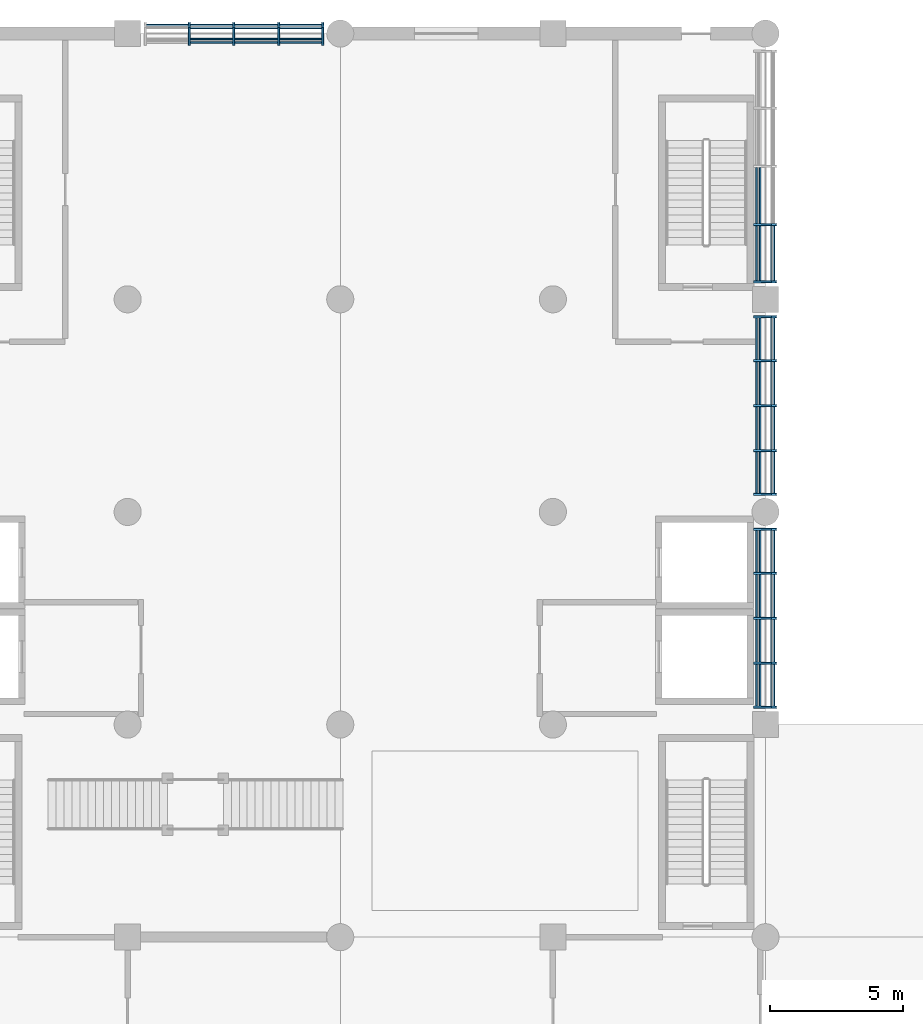
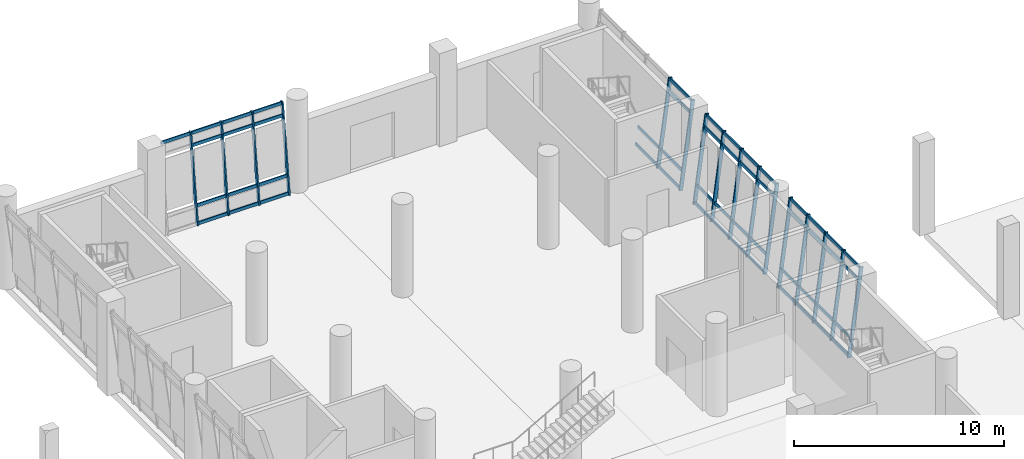
# One storey, part 11 of 42: 67 members, 4 elements without a shape of their own.
"""IFC4 building model written with IfcOpenShell, lengths in metres."""

from ifc_helpers import new_model, si_unit, direction, frame, origin, origin_2d, place, context, subcontext, project, spatial, rectangle, extrude, material, material_profile, profile_set, type_object, element, aggregate, save


model = new_model("IFC4")

# Units and contexts
model_context = context("Model", 3, precision=1e-05, world=origin(), true_north=direction((0.0, 1.0)))
body_context = subcontext(model_context, "Body", "Model", "MODEL_VIEW")
ifc_project = project(units=[si_unit("LENGTHUNIT", "METRE"), si_unit("AREAUNIT", "SQUARE_METRE"), si_unit("VOLUMEUNIT", "CUBIC_METRE"), si_unit("PLANEANGLEUNIT", "RADIAN"), si_unit("MASSUNIT", "GRAM", prefix="KILO")], contexts=[model_context])

# Site, building, storey
site_placement = place(None, origin())
site = spatial("IfcSite", under=ifc_project, at=site_placement, CompositionType="ELEMENT")
building_placement = place(site_placement, origin())
building = spatial("IfcBuilding", under=site, at=building_placement, Name="Pecanmere Concourse Central Library", CompositionType="ELEMENT")
storey_placement = place(building_placement, origin())
storey = spatial("IfcBuildingStorey", under=building, at=storey_placement, Name="L01", CompositionType="ELEMENT", Elevation=0.0)

# Curtain wall, members
ifc_material_1 = material(Name="Anodized bronze aluminium alloy 6063-T6", Category="aluminium")
curtain_wall_type = type_object("IfcCurtainWallType", Name="CW_LEAN_BANDED", PredefinedType="USERDEFINED", material=ifc_material_1)
curtain_wall_1_placement = place(storey_placement, origin())
curtain_wall_1 = element("IfcCurtainWall", 1, at=curtain_wall_1_placement, inside=storey, type_object=curtain_wall_type, Name="Unitised Curtain Wall CW-01 L01-001", ObjectType="UNITISED CURTAIN WALL", PredefinedType="USERDEFINED")
ifc_material_2 = material(Name="Anodized bronze aluminium alloy 6063-T6", Category="aluminium")
ifc_material_profile_1 = material_profile(ifc_material_2, rectangle(XDim=0.074951171875, YDim=0.199951171875, at=origin_2d()), Name="AL 75x200")
ifc_profile_set_1 = profile_set([ifc_material_profile_1], Name="Anodized bronze aluminium alloy 6063-T6")
member_type_1 = type_object("IfcMemberType", Name="CWM_200x75", PredefinedType="MULLION", material=ifc_profile_set_1)
member_1_placement = place(storey_placement, frame((87.342529296875, 123.64990234375, 0.0), z_axis=(0.0, 0.132255108017, 0.991215711338), x_axis=(-1.0, 0.0, 0.0)))
member_1 = element("IfcMember", 2, at=member_1_placement, type_object=member_type_1, Name="CW-01 Mullion 1", PredefinedType="MULLION", context=body_context, shape_type="SweptSolid", body=[
    extrude(rectangle(XDim=0.074951171875, YDim=0.199951171875, at=origin_2d()), origin(), (0.0, 0.0, 1.0), 5.07470703125),
])
member_2_placement = place(storey_placement, frame((85.68994140625, 123.64990234375, 0.0), z_axis=(0.0, 0.132255108017, 0.991215711338), x_axis=(-1.0, 0.0, 0.0)))
member_2 = element("IfcMember", 3, at=member_2_placement, type_object=member_type_1, Name="CW-01 Mullion 2", PredefinedType="MULLION", context=body_context, shape_type="SweptSolid", body=[
    extrude(rectangle(XDim=0.074951171875, YDim=0.199951171875, at=origin_2d()), origin(), (0.0, 0.0, 1.0), 5.07470703125),
])
member_3_placement = place(storey_placement, frame((84.0, 123.64990234375, 0.0), z_axis=(0.0, 0.132255108017, 0.991215711338), x_axis=(-1.0, 0.0, 0.0)))
member_3 = element("IfcMember", 4, at=member_3_placement, type_object=member_type_1, Name="CW-01 Mullion 3", PredefinedType="MULLION", context=body_context, shape_type="SweptSolid", body=[
    extrude(rectangle(XDim=0.074951171875, YDim=0.199951171875, at=origin_2d()), origin(), (0.0, 0.0, 1.0), 5.07470703125),
])
member_4_placement = place(storey_placement, frame((82.31005859375, 123.64990234375, 0.0), z_axis=(0.0, 0.132255108017, 0.991215711338), x_axis=(-1.0, 0.0, 0.0)))
member_4 = element("IfcMember", 5, at=member_4_placement, type_object=member_type_1, Name="CW-01 Mullion 4", PredefinedType="MULLION", context=body_context, shape_type="SweptSolid", body=[
    extrude(rectangle(XDim=0.074951171875, YDim=0.199951171875, at=origin_2d()), origin(), (0.0, 0.0, 1.0), 5.07470703125),
])

curtain_wall_2_placement = place(storey_placement, origin())
curtain_wall_2 = element("IfcCurtainWall", 6, at=curtain_wall_2_placement, inside=storey, type_object=curtain_wall_type, Name="Unitised Curtain Wall CW-01 L01-002", ObjectType="UNITISED CURTAIN WALL", PredefinedType="USERDEFINED")
member_5_placement = place(storey_placement, frame((103.64990234375, 98.657470703125, 0.0), z_axis=(0.132255108017, 0.0, 0.991215711338), x_axis=(0.0, 1.0, 0.0)))
member_5 = element("IfcMember", 7, at=member_5_placement, type_object=member_type_1, Name="CW-01 Mullion 1", PredefinedType="MULLION", context=body_context, shape_type="SweptSolid", body=[
    extrude(rectangle(XDim=0.074951171875, YDim=0.199951171875, at=origin_2d()), origin(), (0.0, 0.0, 1.0), 5.07470703125),
])
member_6_placement = place(storey_placement, frame((103.64990234375, 100.31005859375, 0.0), z_axis=(0.132255108017, 0.0, 0.991215711338), x_axis=(0.0, 1.0, 0.0)))
member_6 = element("IfcMember", 8, at=member_6_placement, type_object=member_type_1, Name="CW-01 Mullion 2", PredefinedType="MULLION", context=body_context, shape_type="SweptSolid", body=[
    extrude(rectangle(XDim=0.074951171875, YDim=0.199951171875, at=origin_2d()), origin(), (0.0, 0.0, 1.0), 5.07470703125),
])
member_7_placement = place(storey_placement, frame((103.64990234375, 102.0, 0.0), z_axis=(0.132255108017, 0.0, 0.991215711338), x_axis=(0.0, 1.0, 0.0)))
member_7 = element("IfcMember", 9, at=member_7_placement, type_object=member_type_1, Name="CW-01 Mullion 3", PredefinedType="MULLION", context=body_context, shape_type="SweptSolid", body=[
    extrude(rectangle(XDim=0.074951171875, YDim=0.199951171875, at=origin_2d()), origin(), (0.0, 0.0, 1.0), 5.07470703125),
])
member_8_placement = place(storey_placement, frame((103.64990234375, 103.68994140625, 0.0), z_axis=(0.132255108017, 0.0, 0.991215711338), x_axis=(0.0, 1.0, 0.0)))
member_8 = element("IfcMember", 10, at=member_8_placement, type_object=member_type_1, Name="CW-01 Mullion 4", PredefinedType="MULLION", context=body_context, shape_type="SweptSolid", body=[
    extrude(rectangle(XDim=0.074951171875, YDim=0.199951171875, at=origin_2d()), origin(), (0.0, 0.0, 1.0), 5.07470703125),
])
member_9_placement = place(storey_placement, frame((103.64990234375, 105.342529296875, 0.0), z_axis=(0.132255108017, 0.0, 0.991215711338), x_axis=(0.0, 1.0, 0.0)))
member_9 = element("IfcMember", 11, at=member_9_placement, type_object=member_type_1, Name="CW-01 Mullion 5", PredefinedType="MULLION", context=body_context, shape_type="SweptSolid", body=[
    extrude(rectangle(XDim=0.074951171875, YDim=0.199951171875, at=origin_2d()), origin(), (0.0, 0.0, 1.0), 5.07470703125),
])

curtain_wall_3_placement = place(storey_placement, origin())
curtain_wall_3 = element("IfcCurtainWall", 12, at=curtain_wall_3_placement, inside=storey, type_object=curtain_wall_type, Name="Unitised Curtain Wall CW-01 L01-003", ObjectType="UNITISED CURTAIN WALL", PredefinedType="USERDEFINED")
member_10_placement = place(storey_placement, frame((103.64990234375, 106.657470703125, 0.0), z_axis=(0.132255108017, 0.0, 0.991215711338), x_axis=(0.0, 1.0, 0.0)))
member_10 = element("IfcMember", 13, at=member_10_placement, type_object=member_type_1, Name="CW-01 Mullion 1", PredefinedType="MULLION", context=body_context, shape_type="SweptSolid", body=[
    extrude(rectangle(XDim=0.074951171875, YDim=0.199951171875, at=origin_2d()), origin(), (0.0, 0.0, 1.0), 5.07470703125),
])
member_11_placement = place(storey_placement, frame((103.64990234375, 108.31005859375, 0.0), z_axis=(0.132255108017, 0.0, 0.991215711338), x_axis=(0.0, 1.0, 0.0)))
member_11 = element("IfcMember", 14, at=member_11_placement, type_object=member_type_1, Name="CW-01 Mullion 2", PredefinedType="MULLION", context=body_context, shape_type="SweptSolid", body=[
    extrude(rectangle(XDim=0.074951171875, YDim=0.199951171875, at=origin_2d()), origin(), (0.0, 0.0, 1.0), 5.07470703125),
])
member_12_placement = place(storey_placement, frame((103.64990234375, 110.0, 0.0), z_axis=(0.132255108017, 0.0, 0.991215711338), x_axis=(0.0, 1.0, 0.0)))
member_12 = element("IfcMember", 15, at=member_12_placement, type_object=member_type_1, Name="CW-01 Mullion 3", PredefinedType="MULLION", context=body_context, shape_type="SweptSolid", body=[
    extrude(rectangle(XDim=0.074951171875, YDim=0.199951171875, at=origin_2d()), origin(), (0.0, 0.0, 1.0), 5.07470703125),
])
member_13_placement = place(storey_placement, frame((103.64990234375, 111.68994140625, 0.0), z_axis=(0.132255108017, 0.0, 0.991215711338), x_axis=(0.0, 1.0, 0.0)))
member_13 = element("IfcMember", 16, at=member_13_placement, type_object=member_type_1, Name="CW-01 Mullion 4", PredefinedType="MULLION", context=body_context, shape_type="SweptSolid", body=[
    extrude(rectangle(XDim=0.074951171875, YDim=0.199951171875, at=origin_2d()), origin(), (0.0, 0.0, 1.0), 5.07470703125),
])
member_14_placement = place(storey_placement, frame((103.64990234375, 113.342529296875, 0.0), z_axis=(0.132255108017, 0.0, 0.991215711338), x_axis=(0.0, 1.0, 0.0)))
member_14 = element("IfcMember", 17, at=member_14_placement, type_object=member_type_1, Name="CW-01 Mullion 5", PredefinedType="MULLION", context=body_context, shape_type="SweptSolid", body=[
    extrude(rectangle(XDim=0.074951171875, YDim=0.199951171875, at=origin_2d()), origin(), (0.0, 0.0, 1.0), 5.07470703125),
])

curtain_wall_4_placement = place(storey_placement, origin())
curtain_wall_4 = element("IfcCurtainWall", 18, at=curtain_wall_4_placement, inside=storey, type_object=curtain_wall_type, Name="Unitised Curtain Wall CW-01 L01-004", ObjectType="UNITISED CURTAIN WALL", PredefinedType="USERDEFINED")
member_15_placement = place(storey_placement, frame((103.64990234375, 114.657470703125, 0.0), z_axis=(0.132255108017, 0.0, 0.991215711338), x_axis=(0.0, 1.0, 0.0)))
member_15 = element("IfcMember", 19, at=member_15_placement, type_object=member_type_1, Name="CW-01 Mullion 1", PredefinedType="MULLION", context=body_context, shape_type="SweptSolid", body=[
    extrude(rectangle(XDim=0.074951171875, YDim=0.199951171875, at=origin_2d()), origin(), (0.0, 0.0, 1.0), 5.07470703125),
])
member_16_placement = place(storey_placement, frame((103.64990234375, 116.81005859375, 0.0), z_axis=(0.132255108017, 0.0, 0.991215711338), x_axis=(0.0, 1.0, 0.0)))
member_16 = element("IfcMember", 20, at=member_16_placement, type_object=member_type_1, Name="CW-01 Mullion 2", PredefinedType="MULLION", context=body_context, shape_type="SweptSolid", body=[
    extrude(rectangle(XDim=0.074951171875, YDim=0.199951171875, at=origin_2d()), origin(), (0.0, 0.0, 1.0), 5.07470703125),
])

# Member
ifc_material_3 = material(Name="Anodized bronze aluminium alloy 6063-T6", Category="aluminium")
ifc_material_profile_2 = material_profile(ifc_material_3, rectangle(XDim=0.06494140625, YDim=0.179931640625, at=origin_2d()), Name="AL 65x180")
ifc_profile_set_2 = profile_set([ifc_material_profile_2], Name="Anodized bronze aluminium alloy 6063-T6")
member_type_2 = type_object("IfcMemberType", Name="CWT_180x65", PredefinedType="USERDEFINED", material=ifc_profile_set_2)
member_17_placement = place(storey_placement, frame((87.304931640625, 123.662109375, 0.090087890625), z_axis=(-1.0, 0.0, 0.0), x_axis=(0.0, -1.0, 0.0)))
member_17 = element("IfcMember", 21, at=member_17_placement, type_object=member_type_2, Name="CW-01 Transom 1.1", ObjectType="TRANSOM", PredefinedType="USERDEFINED", context=body_context, shape_type="SweptSolid", body=[
    extrude(rectangle(XDim=0.06494140625, YDim=0.179931640625, at=origin_2d()), origin(), (0.0, 0.0, 1.0), 1.577392578125),
])

member_18_placement = place(storey_placement, frame((87.304931640625, 123.7900390625, 1.050048828125), z_axis=(-1.0, 0.0, 0.0), x_axis=(0.0, -1.0, 0.0)))
member_18 = element("IfcMember", 22, at=member_18_placement, type_object=member_type_2, Name="CW-01 Transom 1.2", ObjectType="TRANSOM", PredefinedType="USERDEFINED", context=body_context, shape_type="SweptSolid", body=[
    extrude(rectangle(XDim=0.06494140625, YDim=0.179931640625, at=origin_2d()), origin(), (0.0, 0.0, 1.0), 1.577392578125),
])

member_19_placement = place(storey_placement, frame((87.304931640625, 124.22119140625, 4.280029296875), z_axis=(-1.0, 0.0, 0.0), x_axis=(0.0, -1.0, 0.0)))
member_19 = element("IfcMember", 23, at=member_19_placement, type_object=member_type_2, Name="CW-01 Transom 1.3", ObjectType="TRANSOM", PredefinedType="USERDEFINED", context=body_context, shape_type="SweptSolid", body=[
    extrude(rectangle(XDim=0.06494140625, YDim=0.179931640625, at=origin_2d()), origin(), (0.0, 0.0, 1.0), 1.577392578125),
])

member_20_placement = place(storey_placement, frame((87.304931640625, 124.30908203125, 4.93994140625), z_axis=(-1.0, 0.0, 0.0), x_axis=(0.0, -1.0, 0.0)))
member_20 = element("IfcMember", 24, at=member_20_placement, type_object=member_type_2, Name="CW-01 Transom 1.4", ObjectType="TRANSOM", PredefinedType="USERDEFINED", context=body_context, shape_type="SweptSolid", body=[
    extrude(rectangle(XDim=0.06494140625, YDim=0.179931640625, at=origin_2d()), origin(), (0.0, 0.0, 1.0), 1.577392578125),
])

member_21_placement = place(storey_placement, frame((85.652587890625, 123.662109375, 0.090087890625), z_axis=(-1.0, 0.0, 0.0), x_axis=(0.0, -1.0, 0.0)))
member_21 = element("IfcMember", 25, at=member_21_placement, type_object=member_type_2, Name="CW-01 Transom 2.1", ObjectType="TRANSOM", PredefinedType="USERDEFINED", context=body_context, shape_type="SweptSolid", body=[
    extrude(rectangle(XDim=0.06494140625, YDim=0.179931640625, at=origin_2d()), origin(), (0.0, 0.0, 1.0), 1.614990234375),
])

member_22_placement = place(storey_placement, frame((85.652587890625, 123.7900390625, 1.050048828125), z_axis=(-1.0, 0.0, 0.0), x_axis=(0.0, -1.0, 0.0)))
member_22 = element("IfcMember", 26, at=member_22_placement, type_object=member_type_2, Name="CW-01 Transom 2.2", ObjectType="TRANSOM", PredefinedType="USERDEFINED", context=body_context, shape_type="SweptSolid", body=[
    extrude(rectangle(XDim=0.06494140625, YDim=0.179931640625, at=origin_2d()), origin(), (0.0, 0.0, 1.0), 1.614990234375),
])

member_23_placement = place(storey_placement, frame((85.652587890625, 124.22119140625, 4.280029296875), z_axis=(-1.0, 0.0, 0.0), x_axis=(0.0, -1.0, 0.0)))
member_23 = element("IfcMember", 27, at=member_23_placement, type_object=member_type_2, Name="CW-01 Transom 2.3", ObjectType="TRANSOM", PredefinedType="USERDEFINED", context=body_context, shape_type="SweptSolid", body=[
    extrude(rectangle(XDim=0.06494140625, YDim=0.179931640625, at=origin_2d()), origin(), (0.0, 0.0, 1.0), 1.614990234375),
])

member_24_placement = place(storey_placement, frame((85.652587890625, 124.30908203125, 4.93994140625), z_axis=(-1.0, 0.0, 0.0), x_axis=(0.0, -1.0, 0.0)))
member_24 = element("IfcMember", 28, at=member_24_placement, type_object=member_type_2, Name="CW-01 Transom 2.4", ObjectType="TRANSOM", PredefinedType="USERDEFINED", context=body_context, shape_type="SweptSolid", body=[
    extrude(rectangle(XDim=0.06494140625, YDim=0.179931640625, at=origin_2d()), origin(), (0.0, 0.0, 1.0), 1.614990234375),
])

member_25_placement = place(storey_placement, frame((83.96240234375, 123.662109375, 0.090087890625), z_axis=(-1.0, 0.0, 0.0), x_axis=(0.0, -1.0, 0.0)))
member_25 = element("IfcMember", 29, at=member_25_placement, type_object=member_type_2, Name="CW-01 Transom 3.1", ObjectType="TRANSOM", PredefinedType="USERDEFINED", context=body_context, shape_type="SweptSolid", body=[
    extrude(rectangle(XDim=0.06494140625, YDim=0.179931640625, at=origin_2d()), origin(), (0.0, 0.0, 1.0), 1.614990234375),
])

member_26_placement = place(storey_placement, frame((83.96240234375, 123.7900390625, 1.050048828125), z_axis=(-1.0, 0.0, 0.0), x_axis=(0.0, -1.0, 0.0)))
member_26 = element("IfcMember", 30, at=member_26_placement, type_object=member_type_2, Name="CW-01 Transom 3.2", ObjectType="TRANSOM", PredefinedType="USERDEFINED", context=body_context, shape_type="SweptSolid", body=[
    extrude(rectangle(XDim=0.06494140625, YDim=0.179931640625, at=origin_2d()), origin(), (0.0, 0.0, 1.0), 1.614990234375),
])

member_27_placement = place(storey_placement, frame((83.96240234375, 124.22119140625, 4.280029296875), z_axis=(-1.0, 0.0, 0.0), x_axis=(0.0, -1.0, 0.0)))
member_27 = element("IfcMember", 31, at=member_27_placement, type_object=member_type_2, Name="CW-01 Transom 3.3", ObjectType="TRANSOM", PredefinedType="USERDEFINED", context=body_context, shape_type="SweptSolid", body=[
    extrude(rectangle(XDim=0.06494140625, YDim=0.179931640625, at=origin_2d()), origin(), (0.0, 0.0, 1.0), 1.614990234375),
])

member_28_placement = place(storey_placement, frame((83.96240234375, 124.30908203125, 4.93994140625), z_axis=(-1.0, 0.0, 0.0), x_axis=(0.0, -1.0, 0.0)))
member_28 = element("IfcMember", 32, at=member_28_placement, type_object=member_type_2, Name="CW-01 Transom 3.4", ObjectType="TRANSOM", PredefinedType="USERDEFINED", context=body_context, shape_type="SweptSolid", body=[
    extrude(rectangle(XDim=0.06494140625, YDim=0.179931640625, at=origin_2d()), origin(), (0.0, 0.0, 1.0), 1.614990234375),
])

member_29_placement = place(storey_placement, frame((82.2724609375, 124.30908203125, 4.93994140625), z_axis=(-1.0, 0.0, 0.0), x_axis=(0.0, -1.0, 0.0)))
member_29 = element("IfcMember", 33, at=member_29_placement, type_object=member_type_2, Name="CW-01 Transom 4.4", ObjectType="TRANSOM", PredefinedType="USERDEFINED", context=body_context, shape_type="SweptSolid", body=[
    extrude(rectangle(XDim=0.06494140625, YDim=0.179931640625, at=origin_2d()), origin(), (0.0, 0.0, 1.0), 1.577392578125),
])

aggregate(curtain_wall_1, [member_1, member_2, member_3, member_4, member_17, member_18, member_19, member_20, member_21, member_22, member_23, member_24, member_25, member_26, member_27, member_28, member_29])

member_30_placement = place(storey_placement, frame((103.662109375, 98.695068359375, 0.090087890625), z_axis=(0.0, 1.0, 0.0), x_axis=(-1.0, 0.0, 0.0)))
member_30 = element("IfcMember", 34, at=member_30_placement, type_object=member_type_2, Name="CW-01 Transom 1.1", ObjectType="TRANSOM", PredefinedType="USERDEFINED", context=body_context, shape_type="SweptSolid", body=[
    extrude(rectangle(XDim=0.06494140625, YDim=0.179931640625, at=origin_2d()), origin(), (0.0, 0.0, 1.0), 1.577392578125),
])

member_31_placement = place(storey_placement, frame((103.7900390625, 98.695068359375, 1.050048828125), z_axis=(0.0, 1.0, 0.0), x_axis=(-1.0, 0.0, 0.0)))
member_31 = element("IfcMember", 35, at=member_31_placement, type_object=member_type_2, Name="CW-01 Transom 1.2", ObjectType="TRANSOM", PredefinedType="USERDEFINED", context=body_context, shape_type="SweptSolid", body=[
    extrude(rectangle(XDim=0.06494140625, YDim=0.179931640625, at=origin_2d()), origin(), (0.0, 0.0, 1.0), 1.577392578125),
])

member_32_placement = place(storey_placement, frame((104.22119140625, 98.695068359375, 4.280029296875), z_axis=(0.0, 1.0, 0.0), x_axis=(-1.0, 0.0, 0.0)))
member_32 = element("IfcMember", 36, at=member_32_placement, type_object=member_type_2, Name="CW-01 Transom 1.3", ObjectType="TRANSOM", PredefinedType="USERDEFINED", context=body_context, shape_type="SweptSolid", body=[
    extrude(rectangle(XDim=0.06494140625, YDim=0.179931640625, at=origin_2d()), origin(), (0.0, 0.0, 1.0), 1.577392578125),
])

member_33_placement = place(storey_placement, frame((104.30908203125, 98.695068359375, 4.93994140625), z_axis=(0.0, 1.0, 0.0), x_axis=(-1.0, 0.0, 0.0)))
member_33 = element("IfcMember", 37, at=member_33_placement, type_object=member_type_2, Name="CW-01 Transom 1.4", ObjectType="TRANSOM", PredefinedType="USERDEFINED", context=body_context, shape_type="SweptSolid", body=[
    extrude(rectangle(XDim=0.06494140625, YDim=0.179931640625, at=origin_2d()), origin(), (0.0, 0.0, 1.0), 1.577392578125),
])

member_34_placement = place(storey_placement, frame((103.662109375, 100.347412109375, 0.090087890625), z_axis=(0.0, 1.0, 0.0), x_axis=(-1.0, 0.0, 0.0)))
member_34 = element("IfcMember", 38, at=member_34_placement, type_object=member_type_2, Name="CW-01 Transom 2.1", ObjectType="TRANSOM", PredefinedType="USERDEFINED", context=body_context, shape_type="SweptSolid", body=[
    extrude(rectangle(XDim=0.06494140625, YDim=0.179931640625, at=origin_2d()), origin(), (0.0, 0.0, 1.0), 1.614990234375),
])

member_35_placement = place(storey_placement, frame((103.7900390625, 100.347412109375, 1.050048828125), z_axis=(0.0, 1.0, 0.0), x_axis=(-1.0, 0.0, 0.0)))
member_35 = element("IfcMember", 39, at=member_35_placement, type_object=member_type_2, Name="CW-01 Transom 2.2", ObjectType="TRANSOM", PredefinedType="USERDEFINED", context=body_context, shape_type="SweptSolid", body=[
    extrude(rectangle(XDim=0.06494140625, YDim=0.179931640625, at=origin_2d()), origin(), (0.0, 0.0, 1.0), 1.614990234375),
])

member_36_placement = place(storey_placement, frame((104.22119140625, 100.347412109375, 4.280029296875), z_axis=(0.0, 1.0, 0.0), x_axis=(-1.0, 0.0, 0.0)))
member_36 = element("IfcMember", 40, at=member_36_placement, type_object=member_type_2, Name="CW-01 Transom 2.3", ObjectType="TRANSOM", PredefinedType="USERDEFINED", context=body_context, shape_type="SweptSolid", body=[
    extrude(rectangle(XDim=0.06494140625, YDim=0.179931640625, at=origin_2d()), origin(), (0.0, 0.0, 1.0), 1.614990234375),
])

member_37_placement = place(storey_placement, frame((104.30908203125, 100.347412109375, 4.93994140625), z_axis=(0.0, 1.0, 0.0), x_axis=(-1.0, 0.0, 0.0)))
member_37 = element("IfcMember", 41, at=member_37_placement, type_object=member_type_2, Name="CW-01 Transom 2.4", ObjectType="TRANSOM", PredefinedType="USERDEFINED", context=body_context, shape_type="SweptSolid", body=[
    extrude(rectangle(XDim=0.06494140625, YDim=0.179931640625, at=origin_2d()), origin(), (0.0, 0.0, 1.0), 1.614990234375),
])

member_38_placement = place(storey_placement, frame((103.662109375, 102.03759765625, 0.090087890625), z_axis=(0.0, 1.0, 0.0), x_axis=(-1.0, 0.0, 0.0)))
member_38 = element("IfcMember", 42, at=member_38_placement, type_object=member_type_2, Name="CW-01 Transom 3.1", ObjectType="TRANSOM", PredefinedType="USERDEFINED", context=body_context, shape_type="SweptSolid", body=[
    extrude(rectangle(XDim=0.06494140625, YDim=0.179931640625, at=origin_2d()), origin(), (0.0, 0.0, 1.0), 1.614990234375),
])

member_39_placement = place(storey_placement, frame((103.7900390625, 102.03759765625, 1.050048828125), z_axis=(0.0, 1.0, 0.0), x_axis=(-1.0, 0.0, 0.0)))
member_39 = element("IfcMember", 43, at=member_39_placement, type_object=member_type_2, Name="CW-01 Transom 3.2", ObjectType="TRANSOM", PredefinedType="USERDEFINED", context=body_context, shape_type="SweptSolid", body=[
    extrude(rectangle(XDim=0.06494140625, YDim=0.179931640625, at=origin_2d()), origin(), (0.0, 0.0, 1.0), 1.614990234375),
])

member_40_placement = place(storey_placement, frame((104.22119140625, 102.03759765625, 4.280029296875), z_axis=(0.0, 1.0, 0.0), x_axis=(-1.0, 0.0, 0.0)))
member_40 = element("IfcMember", 44, at=member_40_placement, type_object=member_type_2, Name="CW-01 Transom 3.3", ObjectType="TRANSOM", PredefinedType="USERDEFINED", context=body_context, shape_type="SweptSolid", body=[
    extrude(rectangle(XDim=0.06494140625, YDim=0.179931640625, at=origin_2d()), origin(), (0.0, 0.0, 1.0), 1.614990234375),
])

member_41_placement = place(storey_placement, frame((104.30908203125, 102.03759765625, 4.93994140625), z_axis=(0.0, 1.0, 0.0), x_axis=(-1.0, 0.0, 0.0)))
member_41 = element("IfcMember", 45, at=member_41_placement, type_object=member_type_2, Name="CW-01 Transom 3.4", ObjectType="TRANSOM", PredefinedType="USERDEFINED", context=body_context, shape_type="SweptSolid", body=[
    extrude(rectangle(XDim=0.06494140625, YDim=0.179931640625, at=origin_2d()), origin(), (0.0, 0.0, 1.0), 1.614990234375),
])

member_42_placement = place(storey_placement, frame((103.662109375, 103.7275390625, 0.090087890625), z_axis=(0.0, 1.0, 0.0), x_axis=(-1.0, 0.0, 0.0)))
member_42 = element("IfcMember", 46, at=member_42_placement, type_object=member_type_2, Name="CW-01 Transom 4.1", ObjectType="TRANSOM", PredefinedType="USERDEFINED", context=body_context, shape_type="SweptSolid", body=[
    extrude(rectangle(XDim=0.06494140625, YDim=0.179931640625, at=origin_2d()), origin(), (0.0, 0.0, 1.0), 1.577392578125),
])

member_43_placement = place(storey_placement, frame((103.7900390625, 103.7275390625, 1.050048828125), z_axis=(0.0, 1.0, 0.0), x_axis=(-1.0, 0.0, 0.0)))
member_43 = element("IfcMember", 47, at=member_43_placement, type_object=member_type_2, Name="CW-01 Transom 4.2", ObjectType="TRANSOM", PredefinedType="USERDEFINED", context=body_context, shape_type="SweptSolid", body=[
    extrude(rectangle(XDim=0.06494140625, YDim=0.179931640625, at=origin_2d()), origin(), (0.0, 0.0, 1.0), 1.577392578125),
])

member_44_placement = place(storey_placement, frame((104.22119140625, 103.7275390625, 4.280029296875), z_axis=(0.0, 1.0, 0.0), x_axis=(-1.0, 0.0, 0.0)))
member_44 = element("IfcMember", 48, at=member_44_placement, type_object=member_type_2, Name="CW-01 Transom 4.3", ObjectType="TRANSOM", PredefinedType="USERDEFINED", context=body_context, shape_type="SweptSolid", body=[
    extrude(rectangle(XDim=0.06494140625, YDim=0.179931640625, at=origin_2d()), origin(), (0.0, 0.0, 1.0), 1.577392578125),
])

member_45_placement = place(storey_placement, frame((104.30908203125, 103.7275390625, 4.93994140625), z_axis=(0.0, 1.0, 0.0), x_axis=(-1.0, 0.0, 0.0)))
member_45 = element("IfcMember", 49, at=member_45_placement, type_object=member_type_2, Name="CW-01 Transom 4.4", ObjectType="TRANSOM", PredefinedType="USERDEFINED", context=body_context, shape_type="SweptSolid", body=[
    extrude(rectangle(XDim=0.06494140625, YDim=0.179931640625, at=origin_2d()), origin(), (0.0, 0.0, 1.0), 1.577392578125),
])

aggregate(curtain_wall_2, [member_5, member_6, member_7, member_8, member_9, member_30, member_31, member_32, member_33, member_34, member_35, member_36, member_37, member_38, member_39, member_40, member_41, member_42, member_43, member_44, member_45])

member_46_placement = place(storey_placement, frame((103.662109375, 106.695068359375, 0.090087890625), z_axis=(0.0, 1.0, 0.0), x_axis=(-1.0, 0.0, 0.0)))
member_46 = element("IfcMember", 50, at=member_46_placement, type_object=member_type_2, Name="CW-01 Transom 1.1", ObjectType="TRANSOM", PredefinedType="USERDEFINED", context=body_context, shape_type="SweptSolid", body=[
    extrude(rectangle(XDim=0.06494140625, YDim=0.179931640625, at=origin_2d()), origin(), (0.0, 0.0, 1.0), 1.577392578125),
])

member_47_placement = place(storey_placement, frame((103.7900390625, 106.695068359375, 1.050048828125), z_axis=(0.0, 1.0, 0.0), x_axis=(-1.0, 0.0, 0.0)))
member_47 = element("IfcMember", 51, at=member_47_placement, type_object=member_type_2, Name="CW-01 Transom 1.2", ObjectType="TRANSOM", PredefinedType="USERDEFINED", context=body_context, shape_type="SweptSolid", body=[
    extrude(rectangle(XDim=0.06494140625, YDim=0.179931640625, at=origin_2d()), origin(), (0.0, 0.0, 1.0), 1.577392578125),
])

member_48_placement = place(storey_placement, frame((104.22119140625, 106.695068359375, 4.280029296875), z_axis=(0.0, 1.0, 0.0), x_axis=(-1.0, 0.0, 0.0)))
member_48 = element("IfcMember", 52, at=member_48_placement, type_object=member_type_2, Name="CW-01 Transom 1.3", ObjectType="TRANSOM", PredefinedType="USERDEFINED", context=body_context, shape_type="SweptSolid", body=[
    extrude(rectangle(XDim=0.06494140625, YDim=0.179931640625, at=origin_2d()), origin(), (0.0, 0.0, 1.0), 1.577392578125),
])

member_49_placement = place(storey_placement, frame((104.30908203125, 106.695068359375, 4.93994140625), z_axis=(0.0, 1.0, 0.0), x_axis=(-1.0, 0.0, 0.0)))
member_49 = element("IfcMember", 53, at=member_49_placement, type_object=member_type_2, Name="CW-01 Transom 1.4", ObjectType="TRANSOM", PredefinedType="USERDEFINED", context=body_context, shape_type="SweptSolid", body=[
    extrude(rectangle(XDim=0.06494140625, YDim=0.179931640625, at=origin_2d()), origin(), (0.0, 0.0, 1.0), 1.577392578125),
])

member_50_placement = place(storey_placement, frame((103.662109375, 108.347412109375, 0.090087890625), z_axis=(0.0, 1.0, 0.0), x_axis=(-1.0, 0.0, 0.0)))
member_50 = element("IfcMember", 54, at=member_50_placement, type_object=member_type_2, Name="CW-01 Transom 2.1", ObjectType="TRANSOM", PredefinedType="USERDEFINED", context=body_context, shape_type="SweptSolid", body=[
    extrude(rectangle(XDim=0.06494140625, YDim=0.179931640625, at=origin_2d()), origin(), (0.0, 0.0, 1.0), 1.614990234375),
])

member_51_placement = place(storey_placement, frame((103.7900390625, 108.347412109375, 1.050048828125), z_axis=(0.0, 1.0, 0.0), x_axis=(-1.0, 0.0, 0.0)))
member_51 = element("IfcMember", 55, at=member_51_placement, type_object=member_type_2, Name="CW-01 Transom 2.2", ObjectType="TRANSOM", PredefinedType="USERDEFINED", context=body_context, shape_type="SweptSolid", body=[
    extrude(rectangle(XDim=0.06494140625, YDim=0.179931640625, at=origin_2d()), origin(), (0.0, 0.0, 1.0), 1.614990234375),
])

member_52_placement = place(storey_placement, frame((104.22119140625, 108.347412109375, 4.280029296875), z_axis=(0.0, 1.0, 0.0), x_axis=(-1.0, 0.0, 0.0)))
member_52 = element("IfcMember", 56, at=member_52_placement, type_object=member_type_2, Name="CW-01 Transom 2.3", ObjectType="TRANSOM", PredefinedType="USERDEFINED", context=body_context, shape_type="SweptSolid", body=[
    extrude(rectangle(XDim=0.06494140625, YDim=0.179931640625, at=origin_2d()), origin(), (0.0, 0.0, 1.0), 1.614990234375),
])

member_53_placement = place(storey_placement, frame((104.30908203125, 108.347412109375, 4.93994140625), z_axis=(0.0, 1.0, 0.0), x_axis=(-1.0, 0.0, 0.0)))
member_53 = element("IfcMember", 57, at=member_53_placement, type_object=member_type_2, Name="CW-01 Transom 2.4", ObjectType="TRANSOM", PredefinedType="USERDEFINED", context=body_context, shape_type="SweptSolid", body=[
    extrude(rectangle(XDim=0.06494140625, YDim=0.179931640625, at=origin_2d()), origin(), (0.0, 0.0, 1.0), 1.614990234375),
])

member_54_placement = place(storey_placement, frame((103.662109375, 110.03759765625, 0.090087890625), z_axis=(0.0, 1.0, 0.0), x_axis=(-1.0, 0.0, 0.0)))
member_54 = element("IfcMember", 58, at=member_54_placement, type_object=member_type_2, Name="CW-01 Transom 3.1", ObjectType="TRANSOM", PredefinedType="USERDEFINED", context=body_context, shape_type="SweptSolid", body=[
    extrude(rectangle(XDim=0.06494140625, YDim=0.179931640625, at=origin_2d()), origin(), (0.0, 0.0, 1.0), 1.614990234375),
])

member_55_placement = place(storey_placement, frame((103.7900390625, 110.03759765625, 1.050048828125), z_axis=(0.0, 1.0, 0.0), x_axis=(-1.0, 0.0, 0.0)))
member_55 = element("IfcMember", 59, at=member_55_placement, type_object=member_type_2, Name="CW-01 Transom 3.2", ObjectType="TRANSOM", PredefinedType="USERDEFINED", context=body_context, shape_type="SweptSolid", body=[
    extrude(rectangle(XDim=0.06494140625, YDim=0.179931640625, at=origin_2d()), origin(), (0.0, 0.0, 1.0), 1.614990234375),
])

member_56_placement = place(storey_placement, frame((104.22119140625, 110.03759765625, 4.280029296875), z_axis=(0.0, 1.0, 0.0), x_axis=(-1.0, 0.0, 0.0)))
member_56 = element("IfcMember", 60, at=member_56_placement, type_object=member_type_2, Name="CW-01 Transom 3.3", ObjectType="TRANSOM", PredefinedType="USERDEFINED", context=body_context, shape_type="SweptSolid", body=[
    extrude(rectangle(XDim=0.06494140625, YDim=0.179931640625, at=origin_2d()), origin(), (0.0, 0.0, 1.0), 1.614990234375),
])

member_57_placement = place(storey_placement, frame((104.30908203125, 110.03759765625, 4.93994140625), z_axis=(0.0, 1.0, 0.0), x_axis=(-1.0, 0.0, 0.0)))
member_57 = element("IfcMember", 61, at=member_57_placement, type_object=member_type_2, Name="CW-01 Transom 3.4", ObjectType="TRANSOM", PredefinedType="USERDEFINED", context=body_context, shape_type="SweptSolid", body=[
    extrude(rectangle(XDim=0.06494140625, YDim=0.179931640625, at=origin_2d()), origin(), (0.0, 0.0, 1.0), 1.614990234375),
])

member_58_placement = place(storey_placement, frame((103.662109375, 111.7275390625, 0.090087890625), z_axis=(0.0, 1.0, 0.0), x_axis=(-1.0, 0.0, 0.0)))
member_58 = element("IfcMember", 62, at=member_58_placement, type_object=member_type_2, Name="CW-01 Transom 4.1", ObjectType="TRANSOM", PredefinedType="USERDEFINED", context=body_context, shape_type="SweptSolid", body=[
    extrude(rectangle(XDim=0.06494140625, YDim=0.179931640625, at=origin_2d()), origin(), (0.0, 0.0, 1.0), 1.577392578125),
])

member_59_placement = place(storey_placement, frame((103.7900390625, 111.7275390625, 1.050048828125), z_axis=(0.0, 1.0, 0.0), x_axis=(-1.0, 0.0, 0.0)))
member_59 = element("IfcMember", 63, at=member_59_placement, type_object=member_type_2, Name="CW-01 Transom 4.2", ObjectType="TRANSOM", PredefinedType="USERDEFINED", context=body_context, shape_type="SweptSolid", body=[
    extrude(rectangle(XDim=0.06494140625, YDim=0.179931640625, at=origin_2d()), origin(), (0.0, 0.0, 1.0), 1.577392578125),
])

member_60_placement = place(storey_placement, frame((104.22119140625, 111.7275390625, 4.280029296875), z_axis=(0.0, 1.0, 0.0), x_axis=(-1.0, 0.0, 0.0)))
member_60 = element("IfcMember", 64, at=member_60_placement, type_object=member_type_2, Name="CW-01 Transom 4.3", ObjectType="TRANSOM", PredefinedType="USERDEFINED", context=body_context, shape_type="SweptSolid", body=[
    extrude(rectangle(XDim=0.06494140625, YDim=0.179931640625, at=origin_2d()), origin(), (0.0, 0.0, 1.0), 1.577392578125),
])

member_61_placement = place(storey_placement, frame((104.30908203125, 111.7275390625, 4.93994140625), z_axis=(0.0, 1.0, 0.0), x_axis=(-1.0, 0.0, 0.0)))
member_61 = element("IfcMember", 65, at=member_61_placement, type_object=member_type_2, Name="CW-01 Transom 4.4", ObjectType="TRANSOM", PredefinedType="USERDEFINED", context=body_context, shape_type="SweptSolid", body=[
    extrude(rectangle(XDim=0.06494140625, YDim=0.179931640625, at=origin_2d()), origin(), (0.0, 0.0, 1.0), 1.577392578125),
])

aggregate(curtain_wall_3, [member_10, member_11, member_12, member_13, member_14, member_46, member_47, member_48, member_49, member_50, member_51, member_52, member_53, member_54, member_55, member_56, member_57, member_58, member_59, member_60, member_61])

member_62_placement = place(storey_placement, frame((103.662109375, 114.695068359375, 0.090087890625), z_axis=(0.0, 1.0, 0.0), x_axis=(-1.0, 0.0, 0.0)))
member_62 = element("IfcMember", 66, at=member_62_placement, type_object=member_type_2, Name="CW-01 Transom 1.1", ObjectType="TRANSOM", PredefinedType="USERDEFINED", context=body_context, shape_type="SweptSolid", body=[
    extrude(rectangle(XDim=0.06494140625, YDim=0.179931640625, at=origin_2d()), origin(), (0.0, 0.0, 1.0), 2.077392578125),
])

member_63_placement = place(storey_placement, frame((103.7900390625, 114.695068359375, 1.050048828125), z_axis=(0.0, 1.0, 0.0), x_axis=(-1.0, 0.0, 0.0)))
member_63 = element("IfcMember", 67, at=member_63_placement, type_object=member_type_2, Name="CW-01 Transom 1.2", ObjectType="TRANSOM", PredefinedType="USERDEFINED", context=body_context, shape_type="SweptSolid", body=[
    extrude(rectangle(XDim=0.06494140625, YDim=0.179931640625, at=origin_2d()), origin(), (0.0, 0.0, 1.0), 2.077392578125),
])

member_64_placement = place(storey_placement, frame((104.22119140625, 114.695068359375, 4.280029296875), z_axis=(0.0, 1.0, 0.0), x_axis=(-1.0, 0.0, 0.0)))
member_64 = element("IfcMember", 68, at=member_64_placement, type_object=member_type_2, Name="CW-01 Transom 1.3", ObjectType="TRANSOM", PredefinedType="USERDEFINED", context=body_context, shape_type="SweptSolid", body=[
    extrude(rectangle(XDim=0.06494140625, YDim=0.179931640625, at=origin_2d()), origin(), (0.0, 0.0, 1.0), 2.077392578125),
])

member_65_placement = place(storey_placement, frame((104.30908203125, 114.695068359375, 4.93994140625), z_axis=(0.0, 1.0, 0.0), x_axis=(-1.0, 0.0, 0.0)))
member_65 = element("IfcMember", 69, at=member_65_placement, type_object=member_type_2, Name="CW-01 Transom 1.4", ObjectType="TRANSOM", PredefinedType="USERDEFINED", context=body_context, shape_type="SweptSolid", body=[
    extrude(rectangle(XDim=0.06494140625, YDim=0.179931640625, at=origin_2d()), origin(), (0.0, 0.0, 1.0), 2.077392578125),
])

member_66_placement = place(storey_placement, frame((103.662109375, 116.847412109375, 0.090087890625), z_axis=(0.0, 1.0, 0.0), x_axis=(-1.0, 0.0, 0.0)))
member_66 = element("IfcMember", 70, at=member_66_placement, type_object=member_type_2, Name="CW-01 Transom 2.1", ObjectType="TRANSOM", PredefinedType="USERDEFINED", context=body_context, shape_type="SweptSolid", body=[
    extrude(rectangle(XDim=0.06494140625, YDim=0.179931640625, at=origin_2d()), origin(), (0.0, 0.0, 1.0), 2.114990234375),
])

member_67_placement = place(storey_placement, frame((103.7900390625, 116.847412109375, 1.050048828125), z_axis=(0.0, 1.0, 0.0), x_axis=(-1.0, 0.0, 0.0)))
member_67 = element("IfcMember", 71, at=member_67_placement, type_object=member_type_2, Name="CW-01 Transom 2.2", ObjectType="TRANSOM", PredefinedType="USERDEFINED", context=body_context, shape_type="SweptSolid", body=[
    extrude(rectangle(XDim=0.06494140625, YDim=0.179931640625, at=origin_2d()), origin(), (0.0, 0.0, 1.0), 2.114990234375),
])

aggregate(curtain_wall_4, [member_15, member_16, member_62, member_63, member_64, member_65, member_66, member_67])

save(model, "model.ifc")
